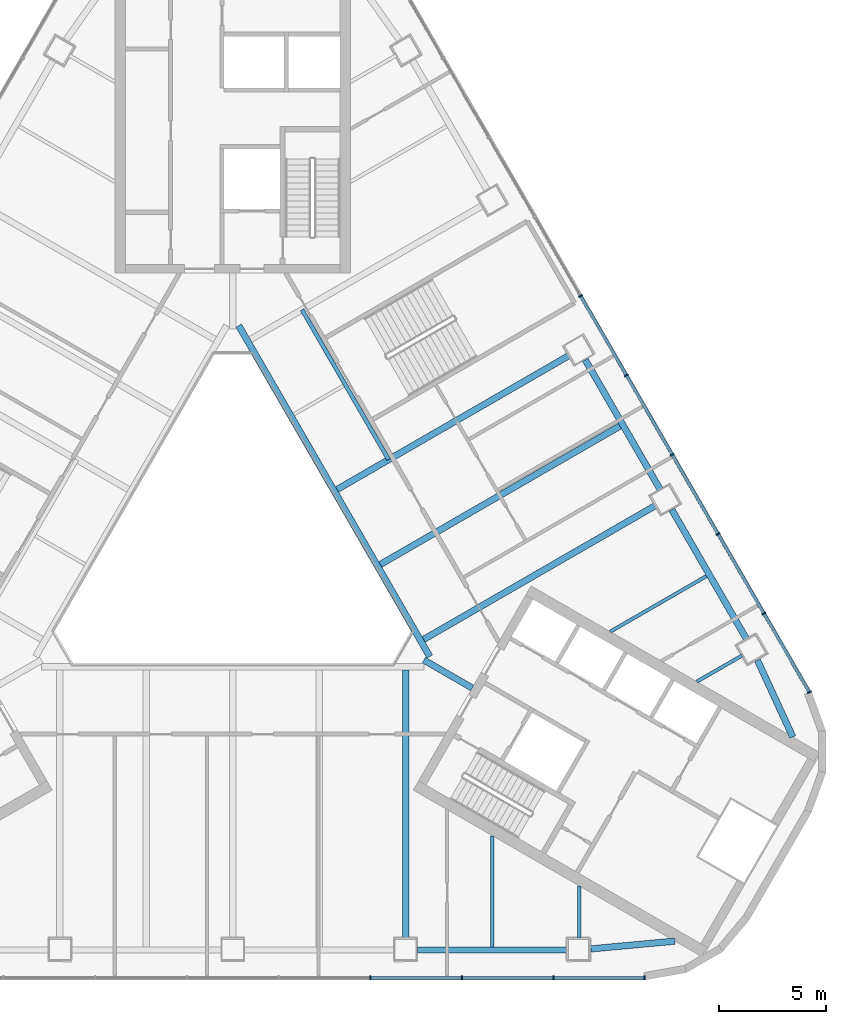
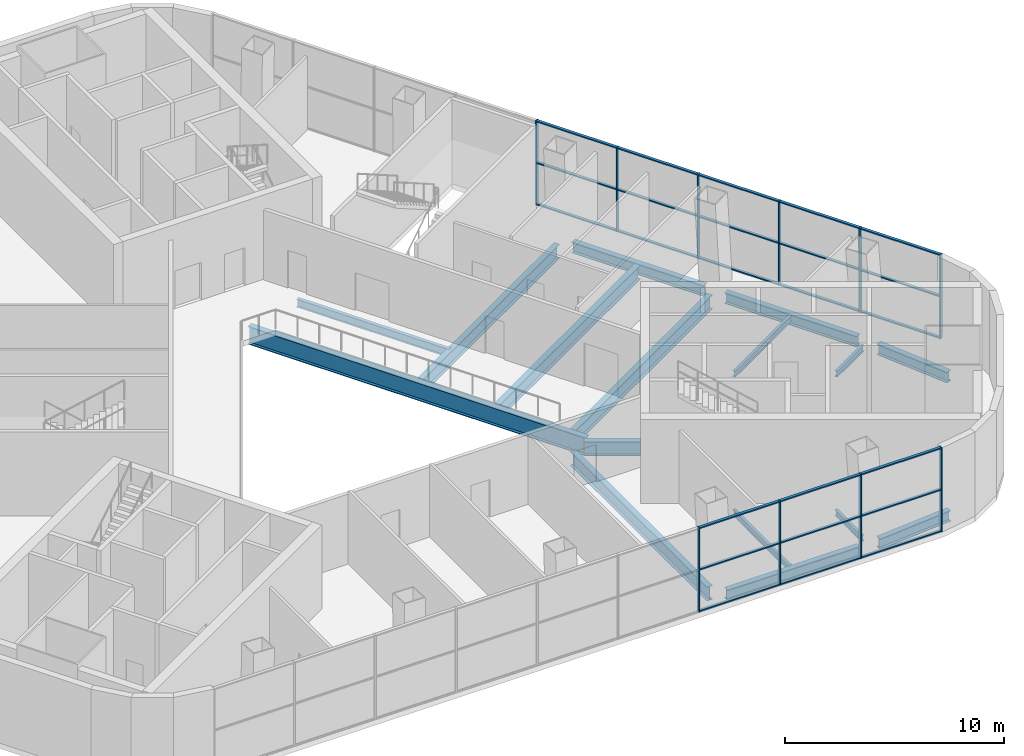
# One storey, part 4 of 13: 34 members, 16 beams, 2 elements without a shape of their own.
"""IFC4 building model written with IfcOpenShell, lengths in metres."""

from ifc_helpers import new_model, si_unit, direction, frame, origin, origin_2d, place, context, subcontext, project, spatial, rectangle, i_section, extrude, material, layer, layer_set, material_profile, profile_set, type_object, element, aggregate, save


model = new_model("IFC4")

# Units and contexts
model_context = context("Model", 3, precision=1e-05, world=origin(), true_north=direction((0.0, 1.0)))
body_context = subcontext(model_context, "Body", "Model", "MODEL_VIEW")
ifc_project = project(units=[si_unit("LENGTHUNIT", "METRE"), si_unit("AREAUNIT", "SQUARE_METRE"), si_unit("VOLUMEUNIT", "CUBIC_METRE"), si_unit("PLANEANGLEUNIT", "RADIAN"), si_unit("MASSUNIT", "GRAM", prefix="KILO")], contexts=[model_context])

# Site, building, storey
site_placement = place(None, origin())
site = spatial("IfcSite", under=ifc_project, at=site_placement, CompositionType="ELEMENT")
building_placement = place(site_placement, origin())
building = spatial("IfcBuilding", under=site, at=building_placement, Name="Apuvela Tower Hotel", CompositionType="ELEMENT")
storey_placement = place(building_placement, frame((0.0, 0.0, 23.5)))
storey = spatial("IfcBuildingStorey", under=building, at=storey_placement, Name="L03", CompositionType="ELEMENT", Elevation=23.5)

# Curtain wall, members
ifc_material_1 = material(Name="Aluminium 6063-T6, dark bronze anodised", Category="aluminium")
ifc_layer = layer(ifc_material_1, 0.199951171875)
ifc_layer_set = layer_set([ifc_layer], Name="ENV-CW-P")
curtain_wall_type = type_object("IfcCurtainWallType", Name="ENV-CW-P", PredefinedType="NOTDEFINED", material=ifc_layer_set)
curtain_wall_1_placement = place(storey_placement, origin())
curtain_wall_1 = element("IfcCurtainWall", 1, at=curtain_wall_1_placement, inside=storey, type_object=curtain_wall_type, Name="Curtain wall CW-P S L03", PredefinedType="NOTDEFINED")
ifc_material_profile_1 = material_profile(ifc_material_1, rectangle(XDim=0.199951171875, YDim=0.06494140625, at=origin_2d()), Name="AL 65x200")
ifc_profile_set_1 = profile_set([ifc_material_profile_1], Name="Aluminium 6063-T6, dark bronze anodised")
member_type_1 = type_object("IfcMemberType", Name="ENV-MULLION-65x200", PredefinedType="MULLION", material=ifc_profile_set_1)
member_1_placement = place(storey_placement, frame((6.41455078125, -19.97607421875, 0.0), z_axis=(0.0, 0.0, 1.0), x_axis=(0.0, 1.0, 0.0)))
member_1 = element("IfcMember", 2, at=member_1_placement, type_object=member_type_1, Name="CW-P mullion 7", PredefinedType="MULLION", context=body_context, shape_type="SweptSolid", body=[
    extrude(rectangle(XDim=0.199951171875, YDim=0.06494140625, at=origin_2d()), origin(), (0.0, 0.0, 1.0), 4.699951171875),
])
member_2_placement = place(storey_placement, frame((10.690673828125, -19.97607421875, 0.0), z_axis=(0.0, 0.0, 1.0), x_axis=(0.0, 1.0, 0.0)))
member_2 = element("IfcMember", 3, at=member_2_placement, type_object=member_type_1, Name="CW-P mullion 8", PredefinedType="MULLION", context=body_context, shape_type="SweptSolid", body=[
    extrude(rectangle(XDim=0.199951171875, YDim=0.06494140625, at=origin_2d()), origin(), (0.0, 0.0, 1.0), 4.699951171875),
])
member_3_placement = place(storey_placement, frame((14.967041015625, -19.97607421875, 0.0), z_axis=(0.0, 0.0, 1.0), x_axis=(0.0, 1.0, 0.0)))
member_3 = element("IfcMember", 4, at=member_3_placement, type_object=member_type_1, Name="CW-P mullion 9", PredefinedType="MULLION", context=body_context, shape_type="SweptSolid", body=[
    extrude(rectangle(XDim=0.199951171875, YDim=0.06494140625, at=origin_2d()), origin(), (0.0, 0.0, 1.0), 4.699951171875),
])
member_4_placement = place(storey_placement, frame((19.2109375, -19.97607421875, 0.0), z_axis=(0.0, 0.0, 1.0), x_axis=(0.0, 1.0, 0.0)))
member_4 = element("IfcMember", 5, at=member_4_placement, type_object=member_type_1, Name="CW-P mullion 10", PredefinedType="MULLION", context=body_context, shape_type="SweptSolid", body=[
    extrude(rectangle(XDim=0.199951171875, YDim=0.06494140625, at=origin_2d()), origin(), (0.0, 0.0, 1.0), 4.699951171875),
])

curtain_wall_2_placement = place(storey_placement, origin())
curtain_wall_2 = element("IfcCurtainWall", 6, at=curtain_wall_2_placement, inside=storey, type_object=curtain_wall_type, Name="Curtain wall CW-P NE L03", PredefinedType="NOTDEFINED")
member_5_placement = place(storey_placement, frame((26.905029296875, -6.649169921875, 0.0), z_axis=(0.0, 0.0, 1.0), x_axis=(-0.866025577183, -0.499999699665, 0.0)))
member_5 = element("IfcMember", 7, at=member_5_placement, type_object=member_type_1, Name="CW-P mullion 1", PredefinedType="MULLION", context=body_context, shape_type="SweptSolid", body=[
    extrude(rectangle(XDim=0.199951171875, YDim=0.06494140625, at=origin_2d()), origin(), (0.0, 0.0, 1.0), 4.699951171875),
])
member_6_placement = place(storey_placement, frame((24.783203125, -2.973876953125, 0.0), z_axis=(0.0, 0.0, 1.0), x_axis=(-0.866025577183, -0.499999699665, 0.0)))
member_6 = element("IfcMember", 8, at=member_6_placement, type_object=member_type_1, Name="CW-P mullion 2", PredefinedType="MULLION", context=body_context, shape_type="SweptSolid", body=[
    extrude(rectangle(XDim=0.199951171875, YDim=0.06494140625, at=origin_2d()), origin(), (0.0, 0.0, 1.0), 4.699951171875),
])
member_7_placement = place(storey_placement, frame((22.64501953125, 0.7294921875, 0.0), z_axis=(0.0, 0.0, 1.0), x_axis=(-0.866025577183, -0.499999699665, 0.0)))
member_7 = element("IfcMember", 9, at=member_7_placement, type_object=member_type_1, Name="CW-P mullion 3", PredefinedType="MULLION", context=body_context, shape_type="SweptSolid", body=[
    extrude(rectangle(XDim=0.199951171875, YDim=0.06494140625, at=origin_2d()), origin(), (0.0, 0.0, 1.0), 4.699951171875),
])
member_8_placement = place(storey_placement, frame((20.507080078125, 4.432861328125, 0.0), z_axis=(0.0, 0.0, 1.0), x_axis=(-0.866025577183, -0.499999699665, 0.0)))
member_8 = element("IfcMember", 10, at=member_8_placement, type_object=member_type_1, Name="CW-P mullion 4", PredefinedType="MULLION", context=body_context, shape_type="SweptSolid", body=[
    extrude(rectangle(XDim=0.199951171875, YDim=0.06494140625, at=origin_2d()), origin(), (0.0, 0.0, 1.0), 4.699951171875),
])
member_9_placement = place(storey_placement, frame((18.368896484375, 8.13623046875, 0.0), z_axis=(0.0, 0.0, 1.0), x_axis=(-0.866025577183, -0.499999699665, 0.0)))
member_9 = element("IfcMember", 11, at=member_9_placement, type_object=member_type_1, Name="CW-P mullion 5", PredefinedType="MULLION", context=body_context, shape_type="SweptSolid", body=[
    extrude(rectangle(XDim=0.199951171875, YDim=0.06494140625, at=origin_2d()), origin(), (0.0, 0.0, 1.0), 4.699951171875),
])
member_10_placement = place(storey_placement, frame((16.230712890625, 11.839599609375, 0.0), z_axis=(0.0, 0.0, 1.0), x_axis=(-0.866025577183, -0.499999699665, 0.0)))
member_10 = element("IfcMember", 12, at=member_10_placement, type_object=member_type_1, Name="CW-P mullion 6", PredefinedType="MULLION", context=body_context, shape_type="SweptSolid", body=[
    extrude(rectangle(XDim=0.199951171875, YDim=0.06494140625, at=origin_2d()), origin(), (0.0, 0.0, 1.0), 4.699951171875),
])

# Member
ifc_material_profile_2 = material_profile(ifc_material_1, rectangle(XDim=0.14990234375, YDim=0.06494140625, at=origin_2d()), Name="AL 65x150 transom")
ifc_profile_set_2 = profile_set([ifc_material_profile_2], Name="Aluminium 6063-T6, dark bronze anodised")
member_type_2 = type_object("IfcMemberType", Name="ENV-TRANSOM-65x150", PredefinedType="USERDEFINED", material=ifc_profile_set_2)
member_11_placement = place(storey_placement, frame((6.447021484375, -19.97607421875, 0.032470703125), z_axis=(1.0, 0.0, 0.0), x_axis=(0.0, 1.0, 0.0)))
member_11 = element("IfcMember", 13, at=member_11_placement, type_object=member_type_2, Name="CW-P transom 7.1", ObjectType="TRANSOM", PredefinedType="USERDEFINED", context=body_context, shape_type="SweptSolid", body=[
    extrude(rectangle(XDim=0.14990234375, YDim=0.06494140625, at=origin_2d()), origin(), (0.0, 0.0, 1.0), 4.211181640625),
])

member_12_placement = place(storey_placement, frame((6.447021484375, -19.97607421875, 2.35009765625), z_axis=(1.0, 0.0, 0.0), x_axis=(0.0, 1.0, 0.0)))
member_12 = element("IfcMember", 14, at=member_12_placement, type_object=member_type_2, Name="CW-P transom 7.2", ObjectType="TRANSOM", PredefinedType="USERDEFINED", context=body_context, shape_type="SweptSolid", body=[
    extrude(rectangle(XDim=0.14990234375, YDim=0.06494140625, at=origin_2d()), origin(), (0.0, 0.0, 1.0), 4.211181640625),
])

member_13_placement = place(storey_placement, frame((6.447021484375, -19.97607421875, 4.66748046875), z_axis=(1.0, 0.0, 0.0), x_axis=(0.0, 1.0, 0.0)))
member_13 = element("IfcMember", 15, at=member_13_placement, type_object=member_type_2, Name="CW-P transom 7.3", ObjectType="TRANSOM", PredefinedType="USERDEFINED", context=body_context, shape_type="SweptSolid", body=[
    extrude(rectangle(XDim=0.14990234375, YDim=0.06494140625, at=origin_2d()), origin(), (0.0, 0.0, 1.0), 4.211181640625),
])

member_14_placement = place(storey_placement, frame((10.723388671875, -19.97607421875, 0.032470703125), z_axis=(1.0, 0.0, 0.0), x_axis=(0.0, 1.0, 0.0)))
member_14 = element("IfcMember", 16, at=member_14_placement, type_object=member_type_2, Name="CW-P transom 8.1", ObjectType="TRANSOM", PredefinedType="USERDEFINED", context=body_context, shape_type="SweptSolid", body=[
    extrude(rectangle(XDim=0.14990234375, YDim=0.06494140625, at=origin_2d()), origin(), (0.0, 0.0, 1.0), 4.211181640625),
])

member_15_placement = place(storey_placement, frame((10.723388671875, -19.97607421875, 2.35009765625), z_axis=(1.0, 0.0, 0.0), x_axis=(0.0, 1.0, 0.0)))
member_15 = element("IfcMember", 17, at=member_15_placement, type_object=member_type_2, Name="CW-P transom 8.2", ObjectType="TRANSOM", PredefinedType="USERDEFINED", context=body_context, shape_type="SweptSolid", body=[
    extrude(rectangle(XDim=0.14990234375, YDim=0.06494140625, at=origin_2d()), origin(), (0.0, 0.0, 1.0), 4.211181640625),
])

member_16_placement = place(storey_placement, frame((10.723388671875, -19.97607421875, 4.66748046875), z_axis=(1.0, 0.0, 0.0), x_axis=(0.0, 1.0, 0.0)))
member_16 = element("IfcMember", 18, at=member_16_placement, type_object=member_type_2, Name="CW-P transom 8.3", ObjectType="TRANSOM", PredefinedType="USERDEFINED", context=body_context, shape_type="SweptSolid", body=[
    extrude(rectangle(XDim=0.14990234375, YDim=0.06494140625, at=origin_2d()), origin(), (0.0, 0.0, 1.0), 4.211181640625),
])

member_17_placement = place(storey_placement, frame((14.99951171875, -19.97607421875, 0.032470703125), z_axis=(1.0, 0.0, 0.0), x_axis=(0.0, 1.0, 0.0)))
member_17 = element("IfcMember", 19, at=member_17_placement, type_object=member_type_2, Name="CW-P transom 9.1", ObjectType="TRANSOM", PredefinedType="USERDEFINED", context=body_context, shape_type="SweptSolid", body=[
    extrude(rectangle(XDim=0.14990234375, YDim=0.06494140625, at=origin_2d()), origin(), (0.0, 0.0, 1.0), 4.178955078125),
])

member_18_placement = place(storey_placement, frame((14.99951171875, -19.97607421875, 2.35009765625), z_axis=(1.0, 0.0, 0.0), x_axis=(0.0, 1.0, 0.0)))
member_18 = element("IfcMember", 20, at=member_18_placement, type_object=member_type_2, Name="CW-P transom 9.2", ObjectType="TRANSOM", PredefinedType="USERDEFINED", context=body_context, shape_type="SweptSolid", body=[
    extrude(rectangle(XDim=0.14990234375, YDim=0.06494140625, at=origin_2d()), origin(), (0.0, 0.0, 1.0), 4.178955078125),
])

member_19_placement = place(storey_placement, frame((14.99951171875, -19.97607421875, 4.66748046875), z_axis=(1.0, 0.0, 0.0), x_axis=(0.0, 1.0, 0.0)))
member_19 = element("IfcMember", 21, at=member_19_placement, type_object=member_type_2, Name="CW-P transom 9.3", ObjectType="TRANSOM", PredefinedType="USERDEFINED", context=body_context, shape_type="SweptSolid", body=[
    extrude(rectangle(XDim=0.14990234375, YDim=0.06494140625, at=origin_2d()), origin(), (0.0, 0.0, 1.0), 4.178955078125),
])

aggregate(curtain_wall_1, [member_1, member_2, member_3, member_4, member_11, member_12, member_13, member_14, member_15, member_16, member_17, member_18, member_19])

member_20_placement = place(storey_placement, frame((26.888916015625, -6.620849609375, 0.032470703125), z_axis=(-0.499997237676, 0.866026998607, 0.0), x_axis=(-0.866026998607, -0.499997237676, 0.0)))
member_20 = element("IfcMember", 22, at=member_20_placement, type_object=member_type_2, Name="CW-P transom 1.1", ObjectType="TRANSOM", PredefinedType="USERDEFINED", context=body_context, shape_type="SweptSolid", body=[
    extrude(rectangle(XDim=0.14990234375, YDim=0.06494140625, at=origin_2d()), origin(), (0.0, 0.0, 1.0), 4.1787109375),
])

member_21_placement = place(storey_placement, frame((26.888916015625, -6.620849609375, 2.35009765625), z_axis=(-0.499997237676, 0.866026998607, 0.0), x_axis=(-0.866026998607, -0.499997237676, 0.0)))
member_21 = element("IfcMember", 23, at=member_21_placement, type_object=member_type_2, Name="CW-P transom 1.2", ObjectType="TRANSOM", PredefinedType="USERDEFINED", context=body_context, shape_type="SweptSolid", body=[
    extrude(rectangle(XDim=0.14990234375, YDim=0.06494140625, at=origin_2d()), origin(), (0.0, 0.0, 1.0), 4.1787109375),
])

member_22_placement = place(storey_placement, frame((26.888916015625, -6.620849609375, 4.66748046875), z_axis=(-0.499997237676, 0.866026998607, 0.0), x_axis=(-0.866026998607, -0.499997237676, 0.0)))
member_22 = element("IfcMember", 24, at=member_22_placement, type_object=member_type_2, Name="CW-P transom 1.3", ObjectType="TRANSOM", PredefinedType="USERDEFINED", context=body_context, shape_type="SweptSolid", body=[
    extrude(rectangle(XDim=0.14990234375, YDim=0.06494140625, at=origin_2d()), origin(), (0.0, 0.0, 1.0), 4.1787109375),
])

member_23_placement = place(storey_placement, frame((24.76708984375, -2.945556640625, 0.032470703125), z_axis=(-0.500023552179, 0.866011805501, 0.0), x_axis=(-0.866011805501, -0.500023552179, 0.0)))
member_23 = element("IfcMember", 25, at=member_23_placement, type_object=member_type_2, Name="CW-P transom 2.1", ObjectType="TRANSOM", PredefinedType="USERDEFINED", context=body_context, shape_type="SweptSolid", body=[
    extrude(rectangle(XDim=0.14990234375, YDim=0.06494140625, at=origin_2d()), origin(), (0.0, 0.0, 1.0), 4.211181640625),
])

member_24_placement = place(storey_placement, frame((24.76708984375, -2.945556640625, 2.35009765625), z_axis=(-0.500023552179, 0.866011805501, 0.0), x_axis=(-0.866011805501, -0.500023552179, 0.0)))
member_24 = element("IfcMember", 26, at=member_24_placement, type_object=member_type_2, Name="CW-P transom 2.2", ObjectType="TRANSOM", PredefinedType="USERDEFINED", context=body_context, shape_type="SweptSolid", body=[
    extrude(rectangle(XDim=0.14990234375, YDim=0.06494140625, at=origin_2d()), origin(), (0.0, 0.0, 1.0), 4.211181640625),
])

member_25_placement = place(storey_placement, frame((24.76708984375, -2.945556640625, 4.66748046875), z_axis=(-0.500023552179, 0.866011805501, 0.0), x_axis=(-0.866011805501, -0.500023552179, 0.0)))
member_25 = element("IfcMember", 27, at=member_25_placement, type_object=member_type_2, Name="CW-P transom 2.3", ObjectType="TRANSOM", PredefinedType="USERDEFINED", context=body_context, shape_type="SweptSolid", body=[
    extrude(rectangle(XDim=0.14990234375, YDim=0.06494140625, at=origin_2d()), origin(), (0.0, 0.0, 1.0), 4.211181640625),
])

member_26_placement = place(storey_placement, frame((22.62890625, 0.7578125, 0.032470703125), z_axis=(-0.500023552179, 0.866011805501, 0.0), x_axis=(-0.866011805501, -0.500023552179, 0.0)))
member_26 = element("IfcMember", 28, at=member_26_placement, type_object=member_type_2, Name="CW-P transom 3.1", ObjectType="TRANSOM", PredefinedType="USERDEFINED", context=body_context, shape_type="SweptSolid", body=[
    extrude(rectangle(XDim=0.14990234375, YDim=0.06494140625, at=origin_2d()), origin(), (0.0, 0.0, 1.0), 4.211181640625),
])

member_27_placement = place(storey_placement, frame((22.62890625, 0.7578125, 2.35009765625), z_axis=(-0.500023552179, 0.866011805501, 0.0), x_axis=(-0.866011805501, -0.500023552179, 0.0)))
member_27 = element("IfcMember", 29, at=member_27_placement, type_object=member_type_2, Name="CW-P transom 3.2", ObjectType="TRANSOM", PredefinedType="USERDEFINED", context=body_context, shape_type="SweptSolid", body=[
    extrude(rectangle(XDim=0.14990234375, YDim=0.06494140625, at=origin_2d()), origin(), (0.0, 0.0, 1.0), 4.211181640625),
])

member_28_placement = place(storey_placement, frame((22.62890625, 0.7578125, 4.66748046875), z_axis=(-0.500023552179, 0.866011805501, 0.0), x_axis=(-0.866011805501, -0.500023552179, 0.0)))
member_28 = element("IfcMember", 30, at=member_28_placement, type_object=member_type_2, Name="CW-P transom 3.3", ObjectType="TRANSOM", PredefinedType="USERDEFINED", context=body_context, shape_type="SweptSolid", body=[
    extrude(rectangle(XDim=0.14990234375, YDim=0.06494140625, at=origin_2d()), origin(), (0.0, 0.0, 1.0), 4.211181640625),
])

member_29_placement = place(storey_placement, frame((20.49072265625, 4.461181640625, 0.032470703125), z_axis=(-0.500023552179, 0.866011805501, 0.0), x_axis=(-0.866011805501, -0.500023552179, 0.0)))
member_29 = element("IfcMember", 31, at=member_29_placement, type_object=member_type_2, Name="CW-P transom 4.1", ObjectType="TRANSOM", PredefinedType="USERDEFINED", context=body_context, shape_type="SweptSolid", body=[
    extrude(rectangle(XDim=0.14990234375, YDim=0.06494140625, at=origin_2d()), origin(), (0.0, 0.0, 1.0), 4.211181640625),
])

member_30_placement = place(storey_placement, frame((20.49072265625, 4.461181640625, 2.35009765625), z_axis=(-0.500023552179, 0.866011805501, 0.0), x_axis=(-0.866011805501, -0.500023552179, 0.0)))
member_30 = element("IfcMember", 32, at=member_30_placement, type_object=member_type_2, Name="CW-P transom 4.2", ObjectType="TRANSOM", PredefinedType="USERDEFINED", context=body_context, shape_type="SweptSolid", body=[
    extrude(rectangle(XDim=0.14990234375, YDim=0.06494140625, at=origin_2d()), origin(), (0.0, 0.0, 1.0), 4.211181640625),
])

member_31_placement = place(storey_placement, frame((20.49072265625, 4.461181640625, 4.66748046875), z_axis=(-0.500023552179, 0.866011805501, 0.0), x_axis=(-0.866011805501, -0.500023552179, 0.0)))
member_31 = element("IfcMember", 33, at=member_31_placement, type_object=member_type_2, Name="CW-P transom 4.3", ObjectType="TRANSOM", PredefinedType="USERDEFINED", context=body_context, shape_type="SweptSolid", body=[
    extrude(rectangle(XDim=0.14990234375, YDim=0.06494140625, at=origin_2d()), origin(), (0.0, 0.0, 1.0), 4.211181640625),
])

member_32_placement = place(storey_placement, frame((18.3525390625, 8.16455078125, 0.032470703125), z_axis=(-0.500023552179, 0.866011805501, 0.0), x_axis=(-0.866011805501, -0.500023552179, 0.0)))
member_32 = element("IfcMember", 34, at=member_32_placement, type_object=member_type_2, Name="CW-P transom 5.1", ObjectType="TRANSOM", PredefinedType="USERDEFINED", context=body_context, shape_type="SweptSolid", body=[
    extrude(rectangle(XDim=0.14990234375, YDim=0.06494140625, at=origin_2d()), origin(), (0.0, 0.0, 1.0), 4.211181640625),
])

member_33_placement = place(storey_placement, frame((18.3525390625, 8.16455078125, 2.35009765625), z_axis=(-0.500023552179, 0.866011805501, 0.0), x_axis=(-0.866011805501, -0.500023552179, 0.0)))
member_33 = element("IfcMember", 35, at=member_33_placement, type_object=member_type_2, Name="CW-P transom 5.2", ObjectType="TRANSOM", PredefinedType="USERDEFINED", context=body_context, shape_type="SweptSolid", body=[
    extrude(rectangle(XDim=0.14990234375, YDim=0.06494140625, at=origin_2d()), origin(), (0.0, 0.0, 1.0), 4.211181640625),
])

member_34_placement = place(storey_placement, frame((18.3525390625, 8.16455078125, 4.66748046875), z_axis=(-0.500023552179, 0.866011805501, 0.0), x_axis=(-0.866011805501, -0.500023552179, 0.0)))
member_34 = element("IfcMember", 36, at=member_34_placement, type_object=member_type_2, Name="CW-P transom 5.3", ObjectType="TRANSOM", PredefinedType="USERDEFINED", context=body_context, shape_type="SweptSolid", body=[
    extrude(rectangle(XDim=0.14990234375, YDim=0.06494140625, at=origin_2d()), origin(), (0.0, 0.0, 1.0), 4.211181640625),
])

aggregate(curtain_wall_2, [member_5, member_6, member_7, member_8, member_9, member_10, member_20, member_21, member_22, member_23, member_24, member_25, member_26, member_27, member_28, member_29, member_30, member_31, member_32, member_33, member_34])

# Beams
ifc_material_2 = material(Name="Steel S355", Category="steel")
ifc_material_profile_3 = material_profile(ifc_material_2, i_section(OverallWidth=0.300048828125, OverallDepth=0.7900390625, WebThickness=0.014892578125, FlangeThickness=0.028076171875, at=origin_2d()), Name="HE 800 A")
ifc_profile_set_3 = profile_set([ifc_material_profile_3], Name="Steel S355")
beam_type_1 = type_object("IfcBeamType", Name="STR-B floor beam HE 800 A", PredefinedType="BEAM", material=ifc_profile_set_3)
beam_1_placement = place(storey_placement, frame((19.7373046875, 2.06591796875, -0.695068359375), z_axis=(-0.866028542009, -0.499994564396, 0.0), x_axis=(0.499994564396, -0.866028542009, 0.0)))
element("IfcBeam", 37, at=beam_1_placement, inside=storey, type_object=beam_type_1, Name="Floor beam B5 NE3", PredefinedType="BEAM", context=body_context, shape_type="SweptSolid", body=[
    extrude(i_section(OverallWidth=0.300048828125, OverallDepth=0.7900390625, WebThickness=0.014892578125, FlangeThickness=0.028076171875, at=origin_2d()), origin(), (0.0, 0.0, 1.0), 12.504150390625),
])
beam_2_placement = place(storey_placement, frame((18.06396484375, 5.764404296875, -0.695068359375), z_axis=(-0.866030575006, -0.499991043074, 0.0), x_axis=(0.499991043074, -0.866030575006, 0.0)))
element("IfcBeam", 38, at=beam_2_placement, inside=storey, type_object=beam_type_1, Name="Floor beam B5 NE4", PredefinedType="BEAM", context=body_context, shape_type="SweptSolid", body=[
    extrude(i_section(OverallWidth=0.300048828125, OverallDepth=0.7900390625, WebThickness=0.014892578125, FlangeThickness=0.028076171875, at=origin_2d()), origin(), (0.0, 0.0, 1.0), 12.904052734375),
])
for number, where, z_axis, x_axis, name in (
    (39, (15.697509765625, 9.06298828125, -0.695068359375), (-0.866023660758, -0.500003018999, 0.0), (0.500003018999, -0.866023660758, 0.0), "Floor beam B5 NE5"),
    (40, (8.07958984375, -18.1259765625, -0.695068359375), (0.0, 1.0, 0.0), (-1.0, 0.0, 0.0), "Floor beam B5 S7"),
):
    element("IfcBeam", number, at=place(storey_placement, frame(where, z_axis=z_axis, x_axis=x_axis)), inside=storey, type_object=beam_type_1, Name=name, PredefinedType="BEAM", context=body_context, shape_type="SweptSolid", body=[
        extrude(i_section(OverallWidth=0.300048828125, OverallDepth=0.7900390625, WebThickness=0.014892578125, FlangeThickness=0.028076171875, at=origin_2d()), origin(), (0.0, 0.0, 1.0), 12.50390625),
    ])
ifc_material_profile_4 = material_profile(ifc_material_2, i_section(OverallWidth=0.159912109375, OverallDepth=0.330078125, WebThickness=0.007568359375, FlangeThickness=0.011474609375, at=origin_2d()), Name="IPE 330")
ifc_profile_set_4 = profile_set([ifc_material_profile_4], Name="Steel S355")
beam_type_2 = type_object("IfcBeamType", Name="STR-B floor beam IPE 330", PredefinedType="BEAM", material=ifc_profile_set_4)
beam_3_placement = place(storey_placement, frame((23.777099609375, -4.93115234375, -0.465087890625), z_axis=(-0.866029334251, -0.49999319217, 0.0), x_axis=(0.49999319217, -0.866029334251, 0.0)))
element("IfcBeam", 41, at=beam_3_placement, inside=storey, type_object=beam_type_2, Name="Floor beam B1 NE1", PredefinedType="BEAM", context=body_context, shape_type="SweptSolid", body=[
    extrude(i_section(OverallWidth=0.159912109375, OverallDepth=0.330078125, WebThickness=0.007568359375, FlangeThickness=0.011474609375, at=origin_2d()), origin(), (0.0, 0.0, 1.0), 2.44580078125),
])
for number, where, z_axis, x_axis, name in (
    (42, (22.103515625, -1.232666015625, -0.465087890625), (-0.866041118699, -0.499972779981, 0.0), (0.499972779981, -0.866041118699, 0.0), "Floor beam B1 NE2"),
    (43, (12.119140625, -18.52587890625, -0.465087890625), (0.0, 1.0, 0.0), (-1.0, 0.0, 0.0), "Floor beam B1 S8"),
):
    element("IfcBeam", number, at=place(storey_placement, frame(where, z_axis=z_axis, x_axis=x_axis)), inside=storey, type_object=beam_type_2, Name=name, PredefinedType="BEAM", context=body_context, shape_type="SweptSolid", body=[
        extrude(i_section(OverallWidth=0.159912109375, OverallDepth=0.330078125, WebThickness=0.007568359375, FlangeThickness=0.011474609375, at=origin_2d()), origin(), (0.0, 0.0, 1.0), 5.177978515625),
    ])
beam_4_placement = place(storey_placement, frame((16.158935546875, -18.1259765625, -0.465087890625), z_axis=(0.0, 1.0, 0.0), x_axis=(-1.0, 0.0, 0.0)))
element("IfcBeam", 44, at=beam_4_placement, inside=storey, type_object=beam_type_2, Name="Floor beam B1 S9", PredefinedType="BEAM", context=body_context, shape_type="SweptSolid", body=[
    extrude(i_section(OverallWidth=0.159912109375, OverallDepth=0.330078125, WebThickness=0.007568359375, FlangeThickness=0.011474609375, at=origin_2d()), origin(), (0.0, 0.0, 1.0), 2.44580078125),
])
ifc_material_profile_5 = material_profile(ifc_material_2, i_section(OverallWidth=0.302001953125, OverallDepth=1.008056640625, WebThickness=0.02099609375, FlangeThickness=0.0400390625, at=origin_2d()), Name="HE 1000 M")
ifc_profile_set_5 = profile_set([ifc_material_profile_5], Name="Steel S355")
beam_type_3 = type_object("IfcBeamType", Name="STR-G atrium ring girder HE 1000 M", PredefinedType="BEAM", material=ifc_profile_set_5)
beam_5_placement = place(storey_placement, frame((9.1953125, -4.984619140625, -0.803955078125), z_axis=(-0.500000611842, 0.866025050537, 0.0), x_axis=(-0.866025050537, -0.500000611842, 0.0)))
element("IfcBeam", 45, at=beam_5_placement, inside=storey, type_object=beam_type_3, Name="Atrium ring girder G1 SE-N", PredefinedType="BEAM", context=body_context, shape_type="SweptSolid", body=[
    extrude(i_section(OverallWidth=0.302001953125, OverallDepth=1.008056640625, WebThickness=0.02099609375, FlangeThickness=0.0400390625, at=origin_2d()), origin(), (0.0, 0.0, 1.0), 17.8291015625),
])
ifc_material_profile_6 = material_profile(ifc_material_2, i_section(OverallWidth=0.300048828125, OverallDepth=0.800048828125, WebThickness=0.017578125, FlangeThickness=0.032958984375, at=origin_2d()), Name="HE 800 B")
ifc_profile_set_6 = profile_set([ifc_material_profile_6], Name="Steel S355")
beam_type_4 = type_object("IfcBeamType", Name="STR-GT core tie beam HE 800 B", PredefinedType="BEAM", material=ifc_profile_set_6)
beam_6_placement = place(storey_placement, frame((11.171630859375, -6.449951171875, -0.699951171875), z_axis=(-0.865997922154, 0.500047596559, 0.0), x_axis=(-0.500047596559, -0.865997922154, 0.0)))
element("IfcBeam", 46, at=beam_6_placement, inside=storey, type_object=beam_type_4, Name="Core tie beam GT1 SE", PredefinedType="BEAM", context=body_context, shape_type="SweptSolid", body=[
    extrude(i_section(OverallWidth=0.300048828125, OverallDepth=0.800048828125, WebThickness=0.017578125, FlangeThickness=0.032958984375, at=origin_2d()), origin(), (0.0, 0.0, 1.0), 2.599853515625),
])
ifc_material_profile_7 = material_profile(ifc_material_2, i_section(OverallWidth=0.300048828125, OverallDepth=0.60009765625, WebThickness=0.015380859375, FlangeThickness=0.030029296875, at=origin_2d()), Name="HE 600 B")
ifc_profile_set_7 = profile_set([ifc_material_profile_7], Name="Steel S355")
beam_type_5 = type_object("IfcBeamType", Name="STR-SB spandrel beam HE 600 B", PredefinedType="SPANDREL", material=ifc_profile_set_7)
for number, where, z_axis, x_axis, name in (
    (47, (8.62939453125, -18.676025390625, -0.60009765625), (1.0, 0.0, 0.0), (0.0, 1.0, 0.0), "Spandrel beam SB1 S4"),
    (48, (23.978515625, -4.1796875, -0.60009765625), (-0.500040385343, 0.86600208604, 0.0), (-0.86600208604, -0.500040385343, 0.0), "Spandrel beam SB1 NE1"),
    (49, (19.938720703125, 2.8173828125, -0.60009765625), (-0.499999004009, 0.86602597882, 0.0), (-0.86602597882, -0.499999004009, 0.0), "Spandrel beam SB1 NE2"),
):
    element("IfcBeam", number, at=place(storey_placement, frame(where, z_axis=z_axis, x_axis=x_axis)), inside=storey, type_object=beam_type_5, Name=name, PredefinedType="SPANDREL", context=body_context, shape_type="SweptSolid", body=[
        extrude(i_section(OverallWidth=0.300048828125, OverallDepth=0.60009765625, WebThickness=0.015380859375, FlangeThickness=0.030029296875, at=origin_2d()), origin(), (0.0, 0.0, 1.0), 6.9794921875),
    ])
for number, where, z_axis, x_axis, name in (
    (50, (16.708984375, -18.625244140625, -0.60009765625), (0.995769906382, 0.091881954403, 0.0), (-0.091881954403, 0.995769906382, 0.0), "Spandrel beam SB1 S5-SE"),
    (51, (24.484375, -5.15771484375, -0.60009765625), (0.418335109719, -0.908292758958, 0.0), (0.908292758958, 0.418335109719, 0.0), "Spandrel beam SB1 NE1-SE"),
):
    element("IfcBeam", number, at=place(storey_placement, frame(where, z_axis=z_axis, x_axis=x_axis)), inside=storey, type_object=beam_type_5, Name=name, PredefinedType="SPANDREL", context=body_context, shape_type="SweptSolid", body=[
        extrude(i_section(OverallWidth=0.300048828125, OverallDepth=0.60009765625, WebThickness=0.015380859375, FlangeThickness=0.030029296875, at=origin_2d()), origin(), (0.0, 0.0, 1.0), 3.9404296875),
    ])
ifc_material_profile_8 = material_profile(ifc_material_2, i_section(OverallWidth=0.18994140625, OverallDepth=0.449951171875, WebThickness=0.009521484375, FlangeThickness=0.0146484375, at=origin_2d()), Name="IPE 450")
ifc_profile_set_8 = profile_set([ifc_material_profile_8], Name="Steel S355")
beam_type_6 = type_object("IfcBeamType", Name="STR-TB stair trimmer beam IPE 450", PredefinedType="BEAM", material=ifc_profile_set_8)
beam_7_placement = place(storey_placement, frame((7.274658203125, 4.199951171875, -0.52490234375), z_axis=(-0.50000320192, 0.866023555147, 0.0), x_axis=(-0.866023555147, -0.50000320192, 0.0)))
element("IfcBeam", 52, at=beam_7_placement, inside=storey, type_object=beam_type_6, Name="Stair trimmer beam TB3 PS1", PredefinedType="BEAM", context=body_context, shape_type="SweptSolid", body=[
    extrude(i_section(OverallWidth=0.18994140625, OverallDepth=0.449951171875, WebThickness=0.009521484375, FlangeThickness=0.0146484375, at=origin_2d()), origin(), (0.0, 0.0, 1.0), 8.07958984375),
])

save(model, "model.ifc")
